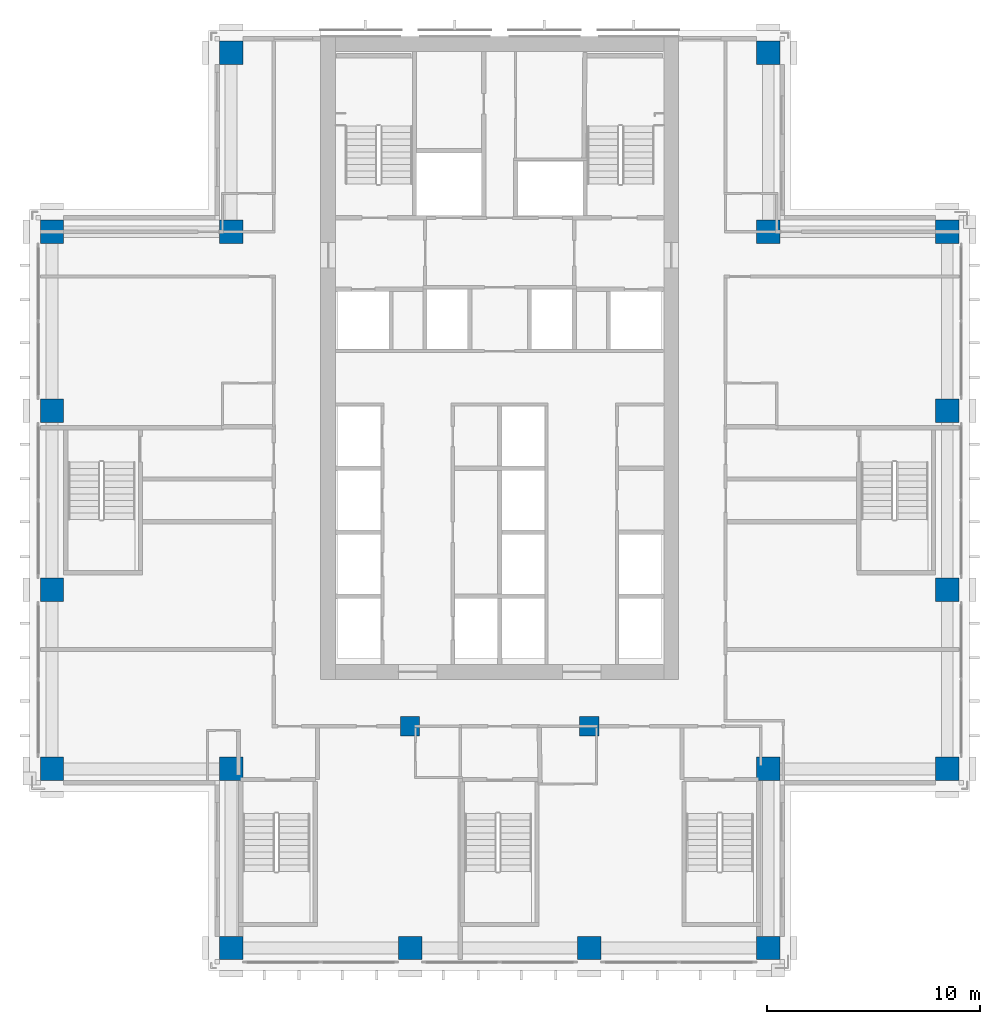
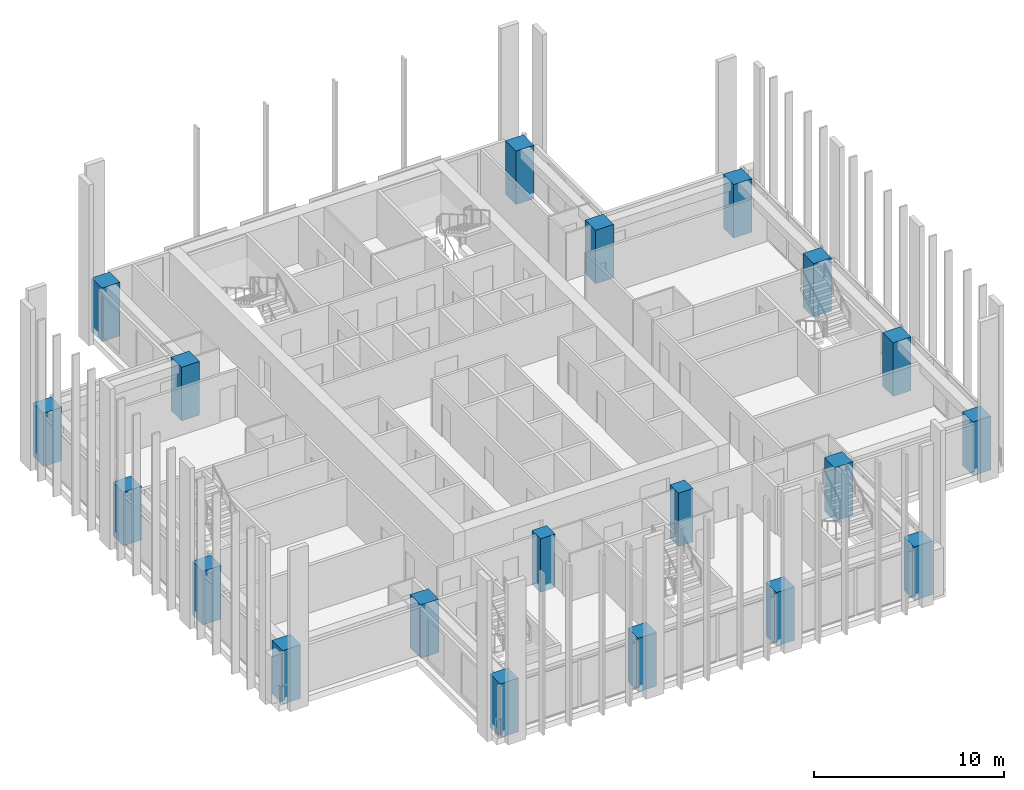
# One storey, part 1 of 16: 20 columns.
"""IFC4 building model written with IfcOpenShell, lengths in metres."""

from ifc_helpers import new_model, si_unit, direction, frame, origin, origin_2d, place, context, subcontext, project, spatial, rectangle, extrude, material, material_profile, profile_set, type_object, element, save


model = new_model("IFC4")

# Units and contexts
model_context = context("Model", 3, precision=1e-05, world=origin(), true_north=direction((0.0, 1.0)))
body_context = subcontext(model_context, "Body", "Model", "MODEL_VIEW")
ifc_project = project(units=[si_unit("LENGTHUNIT", "METRE"), si_unit("AREAUNIT", "SQUARE_METRE"), si_unit("VOLUMEUNIT", "CUBIC_METRE"), si_unit("PLANEANGLEUNIT", "RADIAN"), si_unit("MASSUNIT", "GRAM", prefix="KILO")], contexts=[model_context])

# Site, building, storey
site_placement = place(None, origin())
site = spatial("IfcSite", under=ifc_project, at=site_placement, CompositionType="ELEMENT")
building_placement = place(site_placement, origin())
building = spatial("IfcBuilding", under=site, at=building_placement, Name="Vermilion Ogive Tower", CompositionType="ELEMENT")
storey_placement = place(building_placement, frame((0.0, 0.0, 133.10009765625)))
storey = spatial("IfcBuildingStorey", under=building, at=storey_placement, Name="L33", CompositionType="ELEMENT", Elevation=133.10009765625)

# Columns
ifc_material_1 = material(Name="Concrete B60", Category="concrete")
ifc_material_profile_1 = material_profile(ifc_material_1, rectangle(XDim=1.10009765625, YDim=1.10009765625, at=origin_2d()), Name="1100 x 1100")
ifc_profile_set_1 = profile_set([ifc_material_profile_1], Name="Concrete B60")
column_type_1 = type_object("IfcColumnType", Name="Perimeter column 1100 x 1100 B60", PredefinedType="COLUMN", material=ifc_profile_set_1)
for number, where, z_axis, x_axis, name in (
    (1, (-12.60009765625, -21.0, -0.400146484375), (0.0, 0.0, 1.0), (1.0, 0.0, 0.0), "COL-L33-P-0126-210"),
    (2, (-4.199951171875, -21.0, -0.400146484375), (0.0, 0.0, 1.0), (1.0, 0.0, 0.0), "COL-L33-P-0042-210"),
    (3, (4.199951171875, -21.0, -0.400146484375), (0.0, 0.0, 1.0), (1.0, 0.0, 0.0), "COL-L33-P+0042-210"),
    (4, (12.60009765625, -21.0, -0.400146484375), (0.0, 0.0, 1.0), (1.0, 0.0, 0.0), "COL-L33-P+0126-210"),
    (5, (-21.0, -12.60009765625, -0.400146484375), (0.0, 0.0, 1.0), (1.0, 0.0, 0.0), "COL-L33-P-0210-126"),
    (6, (-12.60009765625, -12.60009765625, -0.400146484375), (0.0, 0.0, 1.0), (1.0, 0.0, 0.0), "COL-L33-P-0126-126"),
    (7, (12.60009765625, -12.60009765625, -0.400146484375), (0.0, 0.0, 1.0), (1.0, 0.0, 0.0), "COL-L33-P+0126-126"),
    (8, (21.0, -12.60009765625, -0.400146484375), (0.0, 0.0, 1.0), (1.0, 0.0, 0.0), "COL-L33-P+0210-126"),
    (9, (-21.0, -4.199951171875, -0.400146484375), (0.0, 0.0, 1.0), (1.0, 0.0, 0.0), "COL-L33-P-0210-042"),
    (10, (21.0, -4.199951171875, -0.400146484375), (0.0, 0.0, 1.0), (1.0, 0.0, 0.0), "COL-L33-P+0210-042"),
    (11, (-21.0, 4.199951171875, -0.400146484375), (0.0, 0.0, 1.0), (1.0, 0.0, 0.0), "COL-L33-P-0210+042"),
    (12, (21.0, 4.199951171875, -0.400146484375), (0.0, 0.0, 1.0), (1.0, 0.0, 0.0), "COL-L33-P+0210+042"),
    (13, (-21.0, 12.60009765625, -0.400146484375), (0.0, 0.0, 1.0), (1.0, 0.0, 0.0), "COL-L33-P-0210+126"),
    (14, (-12.60009765625, 12.60009765625, -0.400146484375), (0.0, 0.0, 1.0), (1.0, 0.0, 0.0), "COL-L33-P-0126+126"),
    (15, (12.60009765625, 12.60009765625, -0.400146484375), (0.0, 0.0, 1.0), (1.0, 0.0, 0.0), "COL-L33-P+0126+126"),
    (16, (21.0, 12.60009765625, -0.400146484375), (0.0, 0.0, 1.0), (1.0, 0.0, 0.0), "COL-L33-P+0210+126"),
    (17, (-12.60009765625, 21.0, -0.400146484375), (0.0, 0.0, 1.0), (1.0, 0.0, 0.0), "COL-L33-P-0126+210"),
    (18, (12.60009765625, 21.0, -0.400146484375), (0.0, 0.0, 1.0), (1.0, 0.0, 0.0), "COL-L33-P+0126+210"),
):
    element("IfcColumn", number, at=place(storey_placement, frame(where, z_axis=z_axis, x_axis=x_axis)), inside=storey, type_object=column_type_1, Name=name, PredefinedType="COLUMN", context=body_context, shape_type="SweptSolid", body=[
        extrude(rectangle(XDim=1.10009765625, YDim=1.10009765625, at=origin_2d()), origin(), (0.0, 0.0, 1.0), 3.449951171875),
    ])
ifc_material_2 = material(Name="Concrete B60", Category="concrete")
ifc_material_profile_2 = material_profile(ifc_material_2, rectangle(XDim=0.89990234375, YDim=0.89990234375, at=origin_2d()), Name="900 x 900")
ifc_profile_set_2 = profile_set([ifc_material_profile_2], Name="Concrete B60")
column_type_2 = type_object("IfcColumnType", Name="Ring column 900 x 900 B60", PredefinedType="COLUMN", material=ifc_profile_set_2)
for number, where, z_axis, x_axis, name in (
    (19, (-4.199951171875, -10.60009765625, -0.400146484375), (0.0, 0.0, 1.0), (1.0, 0.0, 0.0), "COL-L33-R-0042-106"),
    (20, (4.199951171875, -10.60009765625, -0.400146484375), (0.0, 0.0, 1.0), (1.0, 0.0, 0.0), "COL-L33-R+0042-106"),
):
    element("IfcColumn", number, at=place(storey_placement, frame(where, z_axis=z_axis, x_axis=x_axis)), inside=storey, type_object=column_type_2, Name=name, PredefinedType="COLUMN", context=body_context, shape_type="SweptSolid", body=[
        extrude(rectangle(XDim=0.89990234375, YDim=0.89990234375, at=origin_2d()), origin(), (0.0, 0.0, 1.0), 3.449951171875),
    ])

save(model, "model.ifc")
